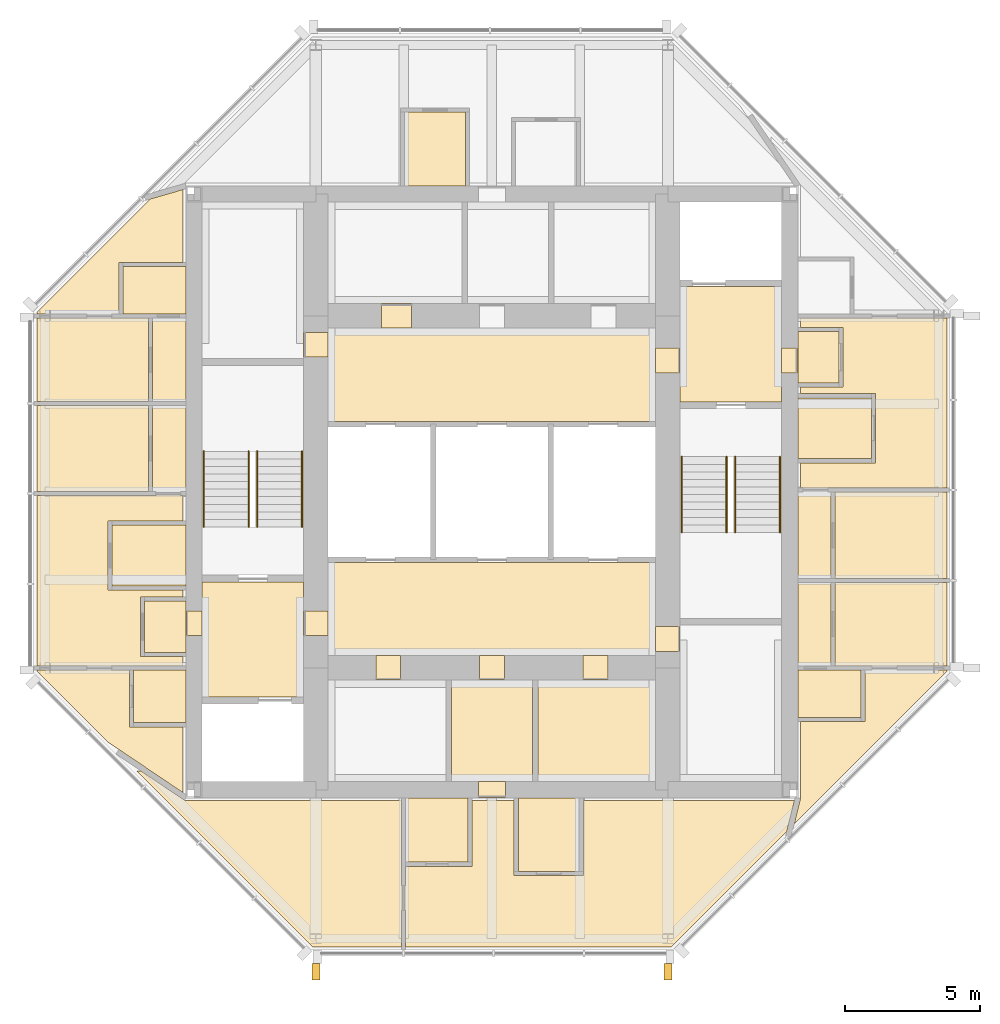
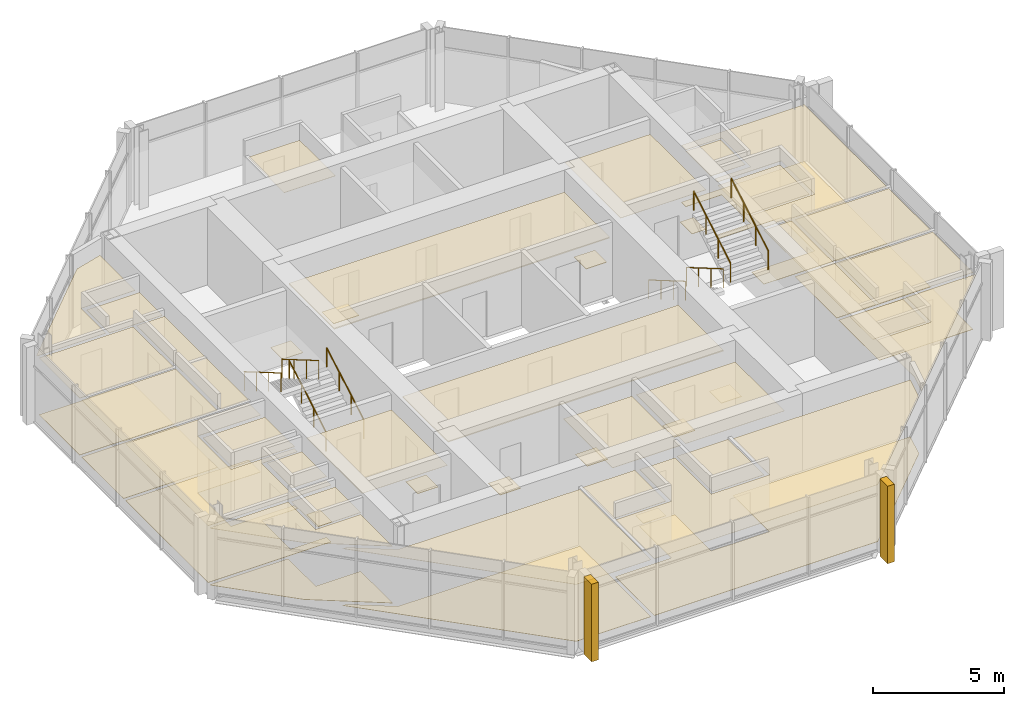
# One storey, part 8 of 9: 51 coverings, 8 railings.
"""IFC4 building model written with IfcOpenShell, lengths in metres."""

from ifc_helpers import new_model, si_unit, direction, frame, origin, origin_2d, place, context, subcontext, project, spatial, polyline, rectangle, circle, outline, extrude, material, layer, layer_set, type_object, element, save


model = new_model("IFC4")

# Units and contexts
model_context = context("Model", 3, precision=1e-05, world=origin(), true_north=direction((0.0, 1.0)))
body_context = subcontext(model_context, "Body", "Model", "MODEL_VIEW")
ifc_project = project(units=[si_unit("LENGTHUNIT", "METRE"), si_unit("AREAUNIT", "SQUARE_METRE"), si_unit("VOLUMEUNIT", "CUBIC_METRE"), si_unit("PLANEANGLEUNIT", "RADIAN"), si_unit("MASSUNIT", "GRAM", prefix="KILO")], contexts=[model_context])

# Site, building, storey
site_placement = place(None, origin())
site = spatial("IfcSite", under=ifc_project, at=site_placement, CompositionType="ELEMENT")
building_placement = place(site_placement, origin())
building = spatial("IfcBuilding", under=site, at=building_placement, Name="Trevanion Tower", CompositionType="ELEMENT")
storey_placement = place(building_placement, frame((0.0, 0.0, 292.0)))
storey = spatial("IfcBuildingStorey", under=building, at=storey_placement, Name="L72", CompositionType="ELEMENT", Elevation=292.0)

# Coverings
ifc_material_1 = material(Name="Fibrous plaster coffers on suspended steel grid", Category="steel")
ifc_layer_1 = layer(ifc_material_1, 0.050048828125)
ifc_layer_set_1 = layer_set([ifc_layer_1], Name="CL1 coffered fibrous plaster ceiling 50")
covering_type_1 = type_object("IfcCoveringType", Name="CL1 coffered fibrous plaster ceiling 50", PredefinedType="CEILING", material=ifc_layer_set_1)
covering_1_placement = place(storey_placement, frame((0.0, 0.0, 2.530029296875)))
element("IfcCovering", 1, at=covering_1_placement, inside=storey, type_object=covering_type_1, Name="CL1 L72-LBN", PredefinedType="CEILING", context=body_context, shape_type="SweptSolid", body=[
    extrude(outline(polyline([(6.050048828125, 2.60009765625), (6.050048828125, 6.050048828125), (-6.050048828125, 6.050048828125), (-6.050048828125, 2.60009765625), (6.050048828125, 2.60009765625)])), origin(), (0.0, 0.0, 1.0), 0.050048828125),
])
covering_2_placement = place(storey_placement, frame((0.0, 0.0, 2.530029296875)))
element("IfcCovering", 2, at=covering_2_placement, inside=storey, type_object=covering_type_1, Name="CL1 L72-LBS", PredefinedType="CEILING", context=body_context, shape_type="SweptSolid", body=[
    extrude(outline(polyline([(6.050048828125, -6.050048828125), (6.050048828125, -2.60009765625), (-6.050048828125, -2.60009765625), (-6.050048828125, -6.050048828125), (6.050048828125, -6.050048828125)])), origin(), (0.0, 0.0, 1.0), 0.050048828125),
])
ifc_material_2 = material(Name="Mineral fibre acoustic tiles in exposed grid", Category="mineral fibre")
ifc_layer_2 = layer(ifc_material_2, 0.02001953125)
ifc_layer_set_2 = layer_set([ifc_layer_2], Name="CL2 acoustic tile ceiling 20")
covering_type_2 = type_object("IfcCoveringType", Name="CL2 acoustic tile ceiling 20", PredefinedType="CEILING", material=ifc_layer_set_2)
covering_3_placement = place(storey_placement, frame((0.0, 0.0, 2.56005859375)))
element("IfcCovering", 3, at=covering_3_placement, inside=storey, type_object=covering_type_2, Name="CL2 L72-CSC", PredefinedType="CEILING", context=body_context, shape_type="SweptSolid", body=[
    extrude(outline(polyline([(1.5, -10.699951171875), (1.5, -6.949951171875), (-1.5, -6.949951171875), (-1.5, -10.699951171875), (1.5, -10.699951171875)])), origin(), (0.0, 0.0, 1.0), 0.02001953125),
])
ifc_material_3 = material(Name="Gypsum plasterboard on suspended metal furring", Category="gypsum")
ifc_layer_3 = layer(ifc_material_3, 0.012939453125)
ifc_layer_set_3 = layer_set([ifc_layer_3], Name="CL3 plasterboard ceiling 13")
covering_type_3 = type_object("IfcCoveringType", Name="CL3 plasterboard ceiling 13", PredefinedType="CEILING", material=ifc_layer_set_3)
covering_4_placement = place(storey_placement, frame((0.0, 0.0, 2.699951171875)))
element("IfcCovering", 4, at=covering_4_placement, inside=storey, type_object=covering_type_3, Name="CL3 L72-FV1", PredefinedType="CEILING", context=body_context, shape_type="SweptSolid", body=[
    extrude(outline(polyline([(10.699951171875, 3.324951171875), (10.699951171875, 7.574951171875), (6.949951171875, 7.574951171875), (6.949951171875, 3.324951171875), (10.699951171875, 3.324951171875)])), origin(), (0.0, 0.0, 1.0), 0.012939453125),
])
covering_5_placement = place(storey_placement, frame((0.0, 0.0, 2.699951171875)))
element("IfcCovering", 5, at=covering_5_placement, inside=storey, type_object=covering_type_3, Name="CL3 L72-FV2", PredefinedType="CEILING", context=body_context, shape_type="SweptSolid", body=[
    extrude(outline(polyline([(-10.699951171875, -3.324951171875), (-10.699951171875, -7.574951171875), (-6.949951171875, -7.574951171875), (-6.949951171875, -3.324951171875), (-10.699951171875, -3.324951171875)])), origin(), (0.0, 0.0, 1.0), 0.012939453125),
])
covering_6_placement = place(storey_placement, frame((0.0, 0.0, 2.56689453125)))
element("IfcCovering", 6, at=covering_6_placement, inside=storey, type_object=covering_type_3, Name="CL3 L72-RSS", PredefinedType="CEILING", context=body_context, shape_type="SweptSolid", body=[
    extrude(outline(polyline([(6.050048828125, -10.699951171875), (6.050048828125, -6.949951171875), (1.699951171875, -6.949951171875), (1.699951171875, -10.699951171875), (6.050048828125, -10.699951171875)])), origin(), (0.0, 0.0, 1.0), 0.01318359375),
])
covering_7_placement = place(storey_placement, frame((0.0, 0.0, 2.699951171875)))
element("IfcCovering", 7, at=covering_7_placement, inside=storey, type_object=covering_type_3, Name="CL3 L72-REE", PredefinedType="CEILING", context=body_context, shape_type="SweptSolid", body=[
    extrude(outline(polyline([(12.824951171875, 4.02490234375), (12.824951171875, 5.925048828125), (11.300048828125, 5.925048828125), (11.300048828125, 4.02490234375), (12.824951171875, 4.02490234375)])), origin(), (0.0, 0.0, 1.0), 0.012939453125),
])
covering_8_placement = place(storey_placement, frame((0.0, 0.0, 2.64599609375)))
element("IfcCovering", 8, at=covering_8_placement, inside=storey, type_object=covering_type_3, Name="CL3 L72-REH", PredefinedType="CEILING", context=body_context, shape_type="SweptSolid", body=[
    extrude(outline(polyline([(12.52490234375, -6.425048828125), (12.52490234375, -0.010009765625), (11.300048828125, -0.010009765625), (11.300048828125, -6.425048828125), (12.52490234375, -6.425048828125)])), origin(), (0.0, 0.0, 1.0), 0.012939453125),
])
covering_9_placement = place(storey_placement, frame((0.0, 0.0, 2.64111328125)))
element("IfcCovering", 9, at=covering_9_placement, inside=storey, type_object=covering_type_3, Name="CL3 L72-RED", PredefinedType="CEILING", context=body_context, shape_type="SweptSolid", body=[
    extrude(outline(polyline([(11.16552734375, -12.2587890625), (11.39990234375, -11.312255859375), (11.39990234375, -8.47509765625), (13.77490234375, -8.47509765625), (13.77490234375, -6.574951171875), (16.800048828125, -6.574951171875), (16.800048828125, -6.624267578125), (11.16552734375, -12.2587890625)])), origin(), (0.0, 0.0, 1.0), 0.012939453125),
])
covering_10_placement = place(storey_placement, frame((0.0, 0.0, 2.64111328125)))
element("IfcCovering", 10, at=covering_10_placement, inside=storey, type_object=covering_type_3, Name="CL3 L72-REB", PredefinedType="CEILING", context=body_context, shape_type="SweptSolid", body=[
    extrude(outline(polyline([(12.675048828125, -6.425048828125), (12.675048828125, -3.341064453125), (16.800048828125, -3.341064453125), (16.800048828125, -6.425048828125), (12.675048828125, -6.425048828125)])), origin(), (0.0, 0.0, 1.0), 0.012939453125),
])
covering_11_placement = place(storey_placement, frame((0.0, 0.0, 2.64599609375)))
element("IfcCovering", 11, at=covering_11_placement, inside=storey, type_object=covering_type_3, Name="CL3 L72-REB2", PredefinedType="CEILING", context=body_context, shape_type="SweptSolid", body=[
    extrude(outline(polyline([(12.675048828125, -3.19091796875), (12.675048828125, -0.010009765625), (16.800048828125, -0.010009765625), (16.800048828125, -3.19091796875), (12.675048828125, -3.19091796875)])), origin(), (0.0, 0.0, 1.0), 0.012939453125),
])
covering_12_placement = place(storey_placement, frame((0.0, 0.0, 2.64111328125)))
element("IfcCovering", 12, at=covering_12_placement, inside=storey, type_object=covering_type_3, Name="CL3 L72-REL", PredefinedType="CEILING", context=body_context, shape_type="SweptSolid", body=[
    extrude(outline(polyline([(11.39990234375, 0.139892578125), (11.39990234375, 1.074951171875), (14.175048828125, 1.074951171875), (14.175048828125, 3.625), (11.39990234375, 3.625), (11.39990234375, 3.875), (12.97509765625, 3.875), (12.97509765625, 6.074951171875), (11.39990234375, 6.074951171875), (11.39990234375, 6.425048828125), (16.800048828125, 6.425048828125), (16.800048828125, 0.139892578125), (11.39990234375, 0.139892578125)])), origin(), (0.0, 0.0, 1.0), 0.012939453125),
])
covering_13_placement = place(storey_placement, frame((0.0, 0.0, 2.699951171875)))
element("IfcCovering", 13, at=covering_13_placement, inside=storey, type_object=covering_type_3, Name="CL3 L72-RWE", PredefinedType="CEILING", context=body_context, shape_type="SweptSolid", body=[
    extrude(outline(polyline([(-12.824951171875, -4.02490234375), (-12.824951171875, -5.925048828125), (-11.300048828125, -5.925048828125), (-11.300048828125, -4.02490234375), (-12.824951171875, -4.02490234375)])), origin(), (0.0, 0.0, 1.0), 0.012939453125),
])
covering_14_placement = place(storey_placement, frame((0.0, 0.0, 2.64599609375)))
element("IfcCovering", 14, at=covering_14_placement, inside=storey, type_object=covering_type_3, Name="CL3 L72-RWH", PredefinedType="CEILING", context=body_context, shape_type="SweptSolid", body=[
    extrude(outline(polyline([(-12.52490234375, 6.425048828125), (-12.52490234375, 0.010009765625), (-11.300048828125, 0.010009765625), (-11.300048828125, 6.425048828125), (-12.52490234375, 6.425048828125)])), origin(), (0.0, 0.0, 1.0), 0.012939453125),
])
covering_15_placement = place(storey_placement, frame((0.0, 0.0, 2.64111328125)))
element("IfcCovering", 15, at=covering_15_placement, inside=storey, type_object=covering_type_3, Name="CL3 L72-RWD", PredefinedType="CEILING", context=body_context, shape_type="SweptSolid", body=[
    extrude(outline(polyline([(-12.606689453125, 10.817626953125), (-11.39990234375, 11.1669921875), (-11.39990234375, 8.47509765625), (-13.77490234375, 8.47509765625), (-13.77490234375, 6.574951171875), (-16.800048828125, 6.574951171875), (-16.800048828125, 6.624267578125), (-12.606689453125, 10.817626953125)])), origin(), (0.0, 0.0, 1.0), 0.012939453125),
])
covering_16_placement = place(storey_placement, frame((0.0, 0.0, 2.64111328125)))
element("IfcCovering", 16, at=covering_16_placement, inside=storey, type_object=covering_type_3, Name="CL3 L72-RWB", PredefinedType="CEILING", context=body_context, shape_type="SweptSolid", body=[
    extrude(outline(polyline([(-12.675048828125, 6.425048828125), (-12.675048828125, 3.341064453125), (-16.800048828125, 3.341064453125), (-16.800048828125, 6.425048828125), (-12.675048828125, 6.425048828125)])), origin(), (0.0, 0.0, 1.0), 0.012939453125),
])
covering_17_placement = place(storey_placement, frame((0.0, 0.0, 2.64599609375)))
element("IfcCovering", 17, at=covering_17_placement, inside=storey, type_object=covering_type_3, Name="CL3 L72-RWB2", PredefinedType="CEILING", context=body_context, shape_type="SweptSolid", body=[
    extrude(outline(polyline([(-12.675048828125, 3.19091796875), (-12.675048828125, 0.010009765625), (-16.800048828125, 0.010009765625), (-16.800048828125, 3.19091796875), (-12.675048828125, 3.19091796875)])), origin(), (0.0, 0.0, 1.0), 0.012939453125),
])
covering_18_placement = place(storey_placement, frame((0.0, 0.0, 2.64111328125)))
element("IfcCovering", 18, at=covering_18_placement, inside=storey, type_object=covering_type_3, Name="CL3 L72-RWL", PredefinedType="CEILING", context=body_context, shape_type="SweptSolid", body=[
    extrude(outline(polyline([(-11.39990234375, -0.139892578125), (-11.39990234375, -1.074951171875), (-14.175048828125, -1.074951171875), (-14.175048828125, -3.625), (-11.39990234375, -3.625), (-11.39990234375, -3.875), (-12.97509765625, -3.875), (-12.97509765625, -6.074951171875), (-11.39990234375, -6.074951171875), (-11.39990234375, -6.425048828125), (-16.800048828125, -6.425048828125), (-16.800048828125, -0.139892578125), (-11.39990234375, -0.139892578125)])), origin(), (0.0, 0.0, 1.0), 0.012939453125),
])
covering_19_placement = place(storey_placement, frame((0.0, 0.0, 2.64111328125)))
element("IfcCovering", 19, at=covering_19_placement, inside=storey, type_object=covering_type_3, Name="CL3 L72-RWB3", PredefinedType="CEILING", context=body_context, shape_type="SweptSolid", body=[
    extrude(outline(polyline([(-13.375, -6.574951171875), (-13.375, -8.675048828125), (-11.39990234375, -8.675048828125), (-11.39990234375, -11.112060546875), (-14.197021484375, -9.227294921875), (-16.800048828125, -6.624267578125), (-16.800048828125, -6.574951171875), (-13.375, -6.574951171875)])), origin(), (0.0, 0.0, 1.0), 0.012939453125),
])
covering_20_placement = place(storey_placement, frame((0.0, 0.0, 2.64111328125)))
element("IfcCovering", 20, at=covering_20_placement, inside=storey, type_object=covering_type_3, Name="CL3 L72-RSB", PredefinedType="CEILING", context=body_context, shape_type="SweptSolid", body=[
    extrude(outline(polyline([(-12.962890625, -10.300048828125), (-11.33056640625, -11.39990234375), (-3.341064453125, -11.39990234375), (-3.341064453125, -16.800048828125), (-6.624267578125, -16.800048828125), (-13.124267578125, -10.300048828125), (-12.962890625, -10.300048828125)])), origin(), (0.0, 0.0, 1.0), 0.012939453125),
])
covering_21_placement = place(storey_placement, frame((0.0, 0.0, 2.64111328125)))
element("IfcCovering", 21, at=covering_21_placement, inside=storey, type_object=covering_type_3, Name="CL3 L72-RSL", PredefinedType="CEILING", context=body_context, shape_type="SweptSolid", body=[
    extrude(outline(polyline([(10.8916015625, -12.53271484375), (6.624267578125, -16.800048828125), (-3.19091796875, -16.800048828125), (-3.19091796875, -13.824951171875), (-0.72509765625, -13.824951171875), (-0.72509765625, -11.39990234375), (0.824951171875, -11.39990234375), (0.824951171875, -14.175048828125), (3.375, -14.175048828125), (3.375, -11.39990234375), (11.172119140625, -11.39990234375), (10.8916015625, -12.53271484375)])), origin(), (0.0, 0.0, 1.0), 0.012939453125),
])
ifc_material_4 = material(Name="Moisture-resistant gypsum board on suspended metal furring", Category="gypsum")
ifc_layer_4 = layer(ifc_material_4, 0.01611328125)
ifc_layer_set_4 = layer_set([ifc_layer_4], Name="CL4 moisture-resistant board ceiling 16")
covering_type_4 = type_object("IfcCoveringType", Name="CL4 moisture-resistant board ceiling 16", PredefinedType="CEILING", material=ifc_layer_set_4)
covering_22_placement = place(storey_placement, frame((0.0, 0.0, 2.60009765625)))
element("IfcCovering", 22, at=covering_22_placement, inside=storey, type_object=covering_type_4, Name="CL4 L72-REK", PredefinedType="CEILING", context=body_context, shape_type="SweptSolid", body=[
    extrude(outline(polyline([(14.02490234375, 1.22509765625), (14.02490234375, 3.47509765625), (11.300048828125, 3.47509765625), (11.300048828125, 1.22509765625), (14.02490234375, 1.22509765625)])), origin(), (0.0, 0.0, 1.0), 0.015869140625),
])
covering_23_placement = place(storey_placement, frame((0.0, 0.0, 2.60009765625)))
element("IfcCovering", 23, at=covering_23_placement, inside=storey, type_object=covering_type_4, Name="CL4 L72-RET", PredefinedType="CEILING", context=body_context, shape_type="SweptSolid", body=[
    extrude(outline(polyline([(13.625, -8.324951171875), (13.625, -6.574951171875), (11.300048828125, -6.574951171875), (11.300048828125, -8.324951171875), (13.625, -8.324951171875)])), origin(), (0.0, 0.0, 1.0), 0.015869140625),
])
covering_24_placement = place(storey_placement, frame((0.0, 0.0, 2.60009765625)))
element("IfcCovering", 24, at=covering_24_placement, inside=storey, type_object=covering_type_4, Name="CL4 L72-RNK", PredefinedType="CEILING", context=body_context, shape_type="SweptSolid", body=[
    extrude(outline(polyline([(-0.97509765625, 14.02490234375), (-3.22509765625, 14.02490234375), (-3.22509765625, 11.300048828125), (-0.97509765625, 11.300048828125), (-0.97509765625, 14.02490234375)])), origin(), (0.0, 0.0, 1.0), 0.015869140625),
])
covering_25_placement = place(storey_placement, frame((0.0, 0.0, 2.60009765625)))
element("IfcCovering", 25, at=covering_25_placement, inside=storey, type_object=covering_type_4, Name="CL4 L72-RWK", PredefinedType="CEILING", context=body_context, shape_type="SweptSolid", body=[
    extrude(outline(polyline([(-14.02490234375, -1.22509765625), (-14.02490234375, -3.47509765625), (-11.300048828125, -3.47509765625), (-11.300048828125, -1.22509765625), (-14.02490234375, -1.22509765625)])), origin(), (0.0, 0.0, 1.0), 0.015869140625),
])
covering_26_placement = place(storey_placement, frame((0.0, 0.0, 2.60009765625)))
element("IfcCovering", 26, at=covering_26_placement, inside=storey, type_object=covering_type_4, Name="CL4 L72-RWW", PredefinedType="CEILING", context=body_context, shape_type="SweptSolid", body=[
    extrude(outline(polyline([(-13.22509765625, -6.574951171875), (-13.22509765625, -8.52490234375), (-11.300048828125, -8.52490234375), (-11.300048828125, -6.574951171875), (-13.22509765625, -6.574951171875)])), origin(), (0.0, 0.0, 1.0), 0.015869140625),
])
covering_27_placement = place(storey_placement, frame((0.0, 0.0, 2.60009765625)))
element("IfcCovering", 27, at=covering_27_placement, inside=storey, type_object=covering_type_4, Name="CL4 L72-RWT", PredefinedType="CEILING", context=body_context, shape_type="SweptSolid", body=[
    extrude(outline(polyline([(-13.625, 8.324951171875), (-13.625, 6.574951171875), (-11.300048828125, 6.574951171875), (-11.300048828125, 8.324951171875), (-13.625, 8.324951171875)])), origin(), (0.0, 0.0, 1.0), 0.015869140625),
])
covering_28_placement = place(storey_placement, frame((0.0, 0.0, 2.60009765625)))
element("IfcCovering", 28, at=covering_28_placement, inside=storey, type_object=covering_type_4, Name="CL4 L72-RSK", PredefinedType="CEILING", context=body_context, shape_type="SweptSolid", body=[
    extrude(outline(polyline([(0.97509765625, -14.02490234375), (3.22509765625, -14.02490234375), (3.22509765625, -11.300048828125), (0.97509765625, -11.300048828125), (0.97509765625, -14.02490234375)])), origin(), (0.0, 0.0, 1.0), 0.015869140625),
])
covering_29_placement = place(storey_placement, frame((0.0, 0.0, 2.60009765625)))
element("IfcCovering", 29, at=covering_29_placement, inside=storey, type_object=covering_type_4, Name="CL4 L72-RST", PredefinedType="CEILING", context=body_context, shape_type="SweptSolid", body=[
    extrude(outline(polyline([(-3.19091796875, -13.675048828125), (-0.875, -13.675048828125), (-0.875, -11.300048828125), (-3.19091796875, -11.300048828125), (-3.19091796875, -13.675048828125)])), origin(), (0.0, 0.0, 1.0), 0.015869140625),
])
ifc_material_5 = material(Name="Cast bronze fin on aluminium carrier", Category="aluminium")
covering_type_5 = type_object("IfcCoveringType", Name="F1 bronze fin", PredefinedType="CLADDING", material=ifc_material_5)
for number, where, z_axis, x_axis, name in (
    (30, (-6.5, -17.72509765625, -0.18994140625), (0.0, 0.0, 1.0), (1.0, 0.0, 0.0), "F1 L72 south -6.5"),
    (31, (6.5, -17.72509765625, -0.18994140625), (0.0, 0.0, 1.0), (1.0, 0.0, 0.0), "F1 L72 south +6.5"),
):
    element("IfcCovering", number, at=place(storey_placement, frame(where, z_axis=z_axis, x_axis=x_axis)), inside=storey, type_object=covering_type_5, Name=name, PredefinedType="CLADDING", context=body_context, shape_type="SweptSolid", body=[
        extrude(rectangle(XDim=0.300048828125, YDim=0.60009765625, at=origin_2d()), origin(), (0.0, 0.0, 1.0), 3.60009765625),
    ])
ifc_material_6 = material(Name="Terrazzo, brass divider strips", Category="stone")
ifc_layer_5 = layer(ifc_material_6, 0.02001953125)
ifc_layer_set_5 = layer_set([ifc_layer_5], Name="FF1 terrazzo flooring")
covering_type_6 = type_object("IfcCoveringType", Name="FF1 terrazzo flooring", PredefinedType="FLOORING", material=ifc_layer_set_5)
covering_30_placement = place(storey_placement, origin())
element("IfcCovering", 32, at=covering_30_placement, inside=storey, type_object=covering_type_6, Name="FF1 threshold 72-001", PredefinedType="FLOORING", context=body_context, shape_type="SweptSolid", body=[
    extrude(outline(polyline([(11.300048828125, 4.392578125), (11.300048828125, 5.3076171875), (10.699951171875, 5.3076171875), (10.699951171875, 4.392578125), (11.300048828125, 4.392578125)])), origin(), (0.0, 0.0, 1.0), 0.02001953125),
])
covering_31_placement = place(storey_placement, origin())
element("IfcCovering", 33, at=covering_31_placement, inside=storey, type_object=covering_type_6, Name="FF1 threshold 72-002", PredefinedType="FLOORING", context=body_context, shape_type="SweptSolid", body=[
    extrude(outline(polyline([(-11.300048828125, -4.392578125), (-11.300048828125, -5.3076171875), (-10.699951171875, -5.3076171875), (-10.699951171875, -4.392578125), (-11.300048828125, -4.392578125)])), origin(), (0.0, 0.0, 1.0), 0.02001953125),
])
covering_32_placement = place(storey_placement, origin())
element("IfcCovering", 34, at=covering_32_placement, inside=storey, type_object=covering_type_6, Name="FF1 threshold 72-003", PredefinedType="FLOORING", context=body_context, shape_type="SweptSolid", body=[
    extrude(outline(polyline([(6.949951171875, 4.392578125), (6.949951171875, 5.3076171875), (6.050048828125, 5.3076171875), (6.050048828125, 4.392578125), (6.949951171875, 4.392578125)])), origin(), (0.0, 0.0, 1.0), 0.02001953125),
])
covering_33_placement = place(storey_placement, origin())
element("IfcCovering", 35, at=covering_33_placement, inside=storey, type_object=covering_type_6, Name="FF1 threshold 72-004", PredefinedType="FLOORING", context=body_context, shape_type="SweptSolid", body=[
    extrude(outline(polyline([(-6.949951171875, -4.392578125), (-6.949951171875, -5.3076171875), (-6.050048828125, -5.3076171875), (-6.050048828125, -4.392578125), (-6.949951171875, -4.392578125)])), origin(), (0.0, 0.0, 1.0), 0.02001953125),
])
covering_34_placement = place(storey_placement, origin())
element("IfcCovering", 36, at=covering_34_placement, inside=storey, type_object=covering_type_6, Name="FF1 threshold 72-009", PredefinedType="FLOORING", context=body_context, shape_type="SweptSolid", body=[
    extrude(outline(polyline([(6.949951171875, -5.889892578125), (6.949951171875, -4.97509765625), (6.050048828125, -4.97509765625), (6.050048828125, -5.889892578125), (6.949951171875, -5.889892578125)])), origin(), (0.0, 0.0, 1.0), 0.02001953125),
])
covering_35_placement = place(storey_placement, origin())
element("IfcCovering", 37, at=covering_35_placement, inside=storey, type_object=covering_type_6, Name="FF1 threshold 72-010", PredefinedType="FLOORING", context=body_context, shape_type="SweptSolid", body=[
    extrude(outline(polyline([(-6.949951171875, 5.889892578125), (-6.949951171875, 4.97509765625), (-6.050048828125, 4.97509765625), (-6.050048828125, 5.889892578125), (-6.949951171875, 5.889892578125)])), origin(), (0.0, 0.0, 1.0), 0.02001953125),
])
covering_36_placement = place(storey_placement, origin())
element("IfcCovering", 38, at=covering_36_placement, inside=storey, type_object=covering_type_6, Name="FF1 threshold 72-019", PredefinedType="FLOORING", context=body_context, shape_type="SweptSolid", body=[
    extrude(outline(polyline([(-2.966064453125, 6.949951171875), (-4.083984375, 6.949951171875), (-4.083984375, 6.050048828125), (-2.966064453125, 6.050048828125), (-2.966064453125, 6.949951171875)])), origin(), (0.0, 0.0, 1.0), 0.02001953125),
])
covering_37_placement = place(storey_placement, origin())
element("IfcCovering", 39, at=covering_37_placement, inside=storey, type_object=covering_type_6, Name="FF1 threshold 72-021", PredefinedType="FLOORING", context=body_context, shape_type="SweptSolid", body=[
    extrude(outline(polyline([(-0.45751953125, -6.949951171875), (0.45751953125, -6.949951171875), (0.45751953125, -6.050048828125), (-0.45751953125, -6.050048828125), (-0.45751953125, -6.949951171875)])), origin(), (0.0, 0.0, 1.0), 0.02001953125),
])
covering_38_placement = place(storey_placement, origin())
element("IfcCovering", 40, at=covering_38_placement, inside=storey, type_object=covering_type_6, Name="FF1 threshold 72-022", PredefinedType="FLOORING", context=body_context, shape_type="SweptSolid", body=[
    extrude(outline(polyline([(-0.5, -11.300048828125), (0.5, -11.300048828125), (0.5, -10.699951171875), (-0.5, -10.699951171875), (-0.5, -11.300048828125)])), origin(), (0.0, 0.0, 1.0), 0.02001953125),
])
covering_39_placement = place(storey_placement, origin())
element("IfcCovering", 41, at=covering_39_placement, inside=storey, type_object=covering_type_6, Name="FF1 threshold 72-023", PredefinedType="FLOORING", context=body_context, shape_type="SweptSolid", body=[
    extrude(outline(polyline([(-4.282470703125, -6.949951171875), (-3.367431640625, -6.949951171875), (-3.367431640625, -6.050048828125), (-4.282470703125, -6.050048828125), (-4.282470703125, -6.949951171875)])), origin(), (0.0, 0.0, 1.0), 0.02001953125),
])
covering_40_placement = place(storey_placement, origin())
element("IfcCovering", 42, at=covering_40_placement, inside=storey, type_object=covering_type_6, Name="FF1 threshold 72-024", PredefinedType="FLOORING", context=body_context, shape_type="SweptSolid", body=[
    extrude(outline(polyline([(3.367431640625, -6.949951171875), (4.282470703125, -6.949951171875), (4.282470703125, -6.050048828125), (3.367431640625, -6.050048828125), (3.367431640625, -6.949951171875)])), origin(), (0.0, 0.0, 1.0), 0.02001953125),
])
ifc_material_7 = material(Name="Engineered oak", Category="wood")
ifc_layer_6 = layer(ifc_material_7, 0.014892578125)
ifc_layer_set_6 = layer_set([ifc_layer_6], Name="FF3 timber flooring")
covering_type_7 = type_object("IfcCoveringType", Name="FF3 timber flooring", PredefinedType="FLOORING", material=ifc_layer_set_6)
covering_41_placement = place(storey_placement, origin())
element("IfcCovering", 43, at=covering_41_placement, inside=storey, type_object=covering_type_7, Name="FF3 L72-REB", PredefinedType="FLOORING", context=body_context, shape_type="SweptSolid", body=[
    extrude(outline(polyline([(12.675048828125, -6.425048828125), (12.675048828125, -3.341064453125), (16.800048828125, -3.341064453125), (16.800048828125, -6.425048828125), (12.675048828125, -6.425048828125)])), origin(), (0.0, 0.0, 1.0), 0.014892578125),
])
covering_42_placement = place(storey_placement, origin())
element("IfcCovering", 44, at=covering_42_placement, inside=storey, type_object=covering_type_7, Name="FF3 L72-REB2", PredefinedType="FLOORING", context=body_context, shape_type="SweptSolid", body=[
    extrude(outline(polyline([(12.675048828125, -3.19091796875), (12.675048828125, -0.010009765625), (16.800048828125, -0.010009765625), (16.800048828125, -3.19091796875), (12.675048828125, -3.19091796875)])), origin(), (0.0, 0.0, 1.0), 0.014892578125),
])
covering_43_placement = place(storey_placement, origin())
element("IfcCovering", 45, at=covering_43_placement, inside=storey, type_object=covering_type_7, Name="FF3 L72-REL", PredefinedType="FLOORING", context=body_context, shape_type="SweptSolid", body=[
    extrude(outline(polyline([(11.39990234375, 0.139892578125), (11.39990234375, 1.074951171875), (14.175048828125, 1.074951171875), (14.175048828125, 3.625), (11.39990234375, 3.625), (11.39990234375, 3.875), (12.97509765625, 3.875), (12.97509765625, 6.074951171875), (11.39990234375, 6.074951171875), (11.39990234375, 6.425048828125), (16.800048828125, 6.425048828125), (16.800048828125, 0.139892578125), (11.39990234375, 0.139892578125)])), origin(), (0.0, 0.0, 1.0), 0.014892578125),
])
covering_44_placement = place(storey_placement, origin())
element("IfcCovering", 46, at=covering_44_placement, inside=storey, type_object=covering_type_7, Name="FF3 L72-RWB", PredefinedType="FLOORING", context=body_context, shape_type="SweptSolid", body=[
    extrude(outline(polyline([(-12.675048828125, 6.425048828125), (-12.675048828125, 3.341064453125), (-16.800048828125, 3.341064453125), (-16.800048828125, 6.425048828125), (-12.675048828125, 6.425048828125)])), origin(), (0.0, 0.0, 1.0), 0.014892578125),
])
covering_45_placement = place(storey_placement, origin())
element("IfcCovering", 47, at=covering_45_placement, inside=storey, type_object=covering_type_7, Name="FF3 L72-RWB2", PredefinedType="FLOORING", context=body_context, shape_type="SweptSolid", body=[
    extrude(outline(polyline([(-12.675048828125, 3.19091796875), (-12.675048828125, 0.010009765625), (-16.800048828125, 0.010009765625), (-16.800048828125, 3.19091796875), (-12.675048828125, 3.19091796875)])), origin(), (0.0, 0.0, 1.0), 0.014892578125),
])
covering_46_placement = place(storey_placement, origin())
element("IfcCovering", 48, at=covering_46_placement, inside=storey, type_object=covering_type_7, Name="FF3 L72-RWL", PredefinedType="FLOORING", context=body_context, shape_type="SweptSolid", body=[
    extrude(outline(polyline([(-11.39990234375, -0.139892578125), (-11.39990234375, -1.074951171875), (-14.175048828125, -1.074951171875), (-14.175048828125, -3.625), (-11.39990234375, -3.625), (-11.39990234375, -3.875), (-12.97509765625, -3.875), (-12.97509765625, -6.074951171875), (-11.39990234375, -6.074951171875), (-11.39990234375, -6.425048828125), (-16.800048828125, -6.425048828125), (-16.800048828125, -0.139892578125), (-11.39990234375, -0.139892578125)])), origin(), (0.0, 0.0, 1.0), 0.014892578125),
])
covering_47_placement = place(storey_placement, origin())
element("IfcCovering", 49, at=covering_47_placement, inside=storey, type_object=covering_type_7, Name="FF3 L72-RWB3", PredefinedType="FLOORING", context=body_context, shape_type="SweptSolid", body=[
    extrude(outline(polyline([(-13.375, -6.574951171875), (-13.375, -8.675048828125), (-11.39990234375, -8.675048828125), (-11.39990234375, -11.112060546875), (-14.197021484375, -9.227294921875), (-16.800048828125, -6.624267578125), (-16.800048828125, -6.574951171875), (-13.375, -6.574951171875)])), origin(), (0.0, 0.0, 1.0), 0.014892578125),
])
covering_48_placement = place(storey_placement, origin())
element("IfcCovering", 50, at=covering_48_placement, inside=storey, type_object=covering_type_7, Name="FF3 L72-RSB", PredefinedType="FLOORING", context=body_context, shape_type="SweptSolid", body=[
    extrude(outline(polyline([(-12.962890625, -10.300048828125), (-11.33056640625, -11.39990234375), (-3.341064453125, -11.39990234375), (-3.341064453125, -16.800048828125), (-6.624267578125, -16.800048828125), (-13.124267578125, -10.300048828125), (-12.962890625, -10.300048828125)])), origin(), (0.0, 0.0, 1.0), 0.014892578125),
])
covering_49_placement = place(storey_placement, origin())
element("IfcCovering", 51, at=covering_49_placement, inside=storey, type_object=covering_type_7, Name="FF3 L72-RSL", PredefinedType="FLOORING", context=body_context, shape_type="SweptSolid", body=[
    extrude(outline(polyline([(10.8916015625, -12.53271484375), (6.624267578125, -16.800048828125), (-3.19091796875, -16.800048828125), (-3.19091796875, -13.824951171875), (-0.72509765625, -13.824951171875), (-0.72509765625, -11.39990234375), (0.824951171875, -11.39990234375), (0.824951171875, -14.175048828125), (3.375, -14.175048828125), (3.375, -11.39990234375), (11.172119140625, -11.39990234375), (10.8916015625, -12.53271484375)])), origin(), (0.0, 0.0, 1.0), 0.014892578125),
])

# Railings
ifc_material_8 = material(Name="Stainless steel tube 40 mm", Category="steel")
railing_type = type_object("IfcRailingType", Name="HR1 handrail", PredefinedType="HANDRAIL", material=ifc_material_8)
for number, where, name in (
    (52, (7.010009765625, 1.300048828125, 0.16357421875), "HR1 ST1 L72 flight 1"),
    (53, (8.6650390625, 1.300048828125, 0.16357421875), "HR1 ST1 L72 flight 1"),
):
    element("IfcRailing", number, at=place(storey_placement, frame(where)), inside=storey, type_object=railing_type, Name=name, PredefinedType="HANDRAIL", context=body_context, shape_type="SweptSolid", body=[
        extrude(circle(Radius=0.02001953125, at=origin_2d()), frame((0.0, 0.0, 0.8798828125), z_axis=(0.0, -0.863360870873, 0.504586966384), x_axis=(1.0, 0.0, 0.0)), (0.0, 0.0, 1.0), 3.2431640625),
        extrude(circle(Radius=0.01513671875, at=origin_2d()), origin(), (0.0, 0.0, 1.0), 0.85986328125),
        extrude(circle(Radius=0.01513671875, at=origin_2d()), frame((0.0, -0.933349609375, 0.54541015625)), (0.0, 0.0, 1.0), 0.85986328125),
        extrude(circle(Radius=0.01513671875, at=origin_2d()), frame((0.0, -1.86669921875, 1.091064453125)), (0.0, 0.0, 1.0), 0.85986328125),
        extrude(circle(Radius=0.01513671875, at=origin_2d()), frame((0.0, -2.800048828125, 1.636474609375)), (0.0, 0.0, 1.0), 0.85986328125),
    ])
for number, where, name in (
    (54, (8.985107421875, -1.5, 1.963623046875), "HR1 ST1 L72 flight 2"),
    (55, (10.639892578125, -1.5, 1.963623046875), "HR1 ST1 L72 flight 2"),
    (56, (-7.010009765625, -1.300048828125, 0.16357421875), "HR1 ST2 L72 flight 1"),
    (57, (-8.6650390625, -1.300048828125, 0.16357421875), "HR1 ST2 L72 flight 1"),
):
    element("IfcRailing", number, at=place(storey_placement, frame(where)), inside=storey, type_object=railing_type, Name=name, PredefinedType="HANDRAIL", context=body_context, shape_type="SweptSolid", body=[
        extrude(circle(Radius=0.02001953125, at=origin_2d()), frame((0.0, 0.0, 0.8798828125), z_axis=(0.0, 0.863360870873, 0.504586966384), x_axis=(-1.0, 0.0, 0.0)), (0.0, 0.0, 1.0), 3.2431640625),
        extrude(circle(Radius=0.01513671875, at=origin_2d()), origin(), (0.0, 0.0, 1.0), 0.85986328125),
        extrude(circle(Radius=0.01513671875, at=origin_2d()), frame((0.0, 0.933349609375, 0.54541015625)), (0.0, 0.0, 1.0), 0.85986328125),
        extrude(circle(Radius=0.01513671875, at=origin_2d()), frame((0.0, 1.86669921875, 1.091064453125)), (0.0, 0.0, 1.0), 0.85986328125),
        extrude(circle(Radius=0.01513671875, at=origin_2d()), frame((0.0, 2.800048828125, 1.636474609375)), (0.0, 0.0, 1.0), 0.85986328125),
    ])
for number, where, name in (
    (58, (-8.985107421875, 1.5, 1.963623046875), "HR1 ST2 L72 flight 2"),
    (59, (-10.639892578125, 1.5, 1.963623046875), "HR1 ST2 L72 flight 2"),
):
    element("IfcRailing", number, at=place(storey_placement, frame(where)), inside=storey, type_object=railing_type, Name=name, PredefinedType="HANDRAIL", context=body_context, shape_type="SweptSolid", body=[
        extrude(circle(Radius=0.02001953125, at=origin_2d()), frame((0.0, 0.0, 0.8798828125), z_axis=(0.0, -0.863360870873, 0.504586966384), x_axis=(1.0, 0.0, 0.0)), (0.0, 0.0, 1.0), 3.2431640625),
        extrude(circle(Radius=0.01513671875, at=origin_2d()), origin(), (0.0, 0.0, 1.0), 0.85986328125),
        extrude(circle(Radius=0.01513671875, at=origin_2d()), frame((0.0, -0.933349609375, 0.54541015625)), (0.0, 0.0, 1.0), 0.85986328125),
        extrude(circle(Radius=0.01513671875, at=origin_2d()), frame((0.0, -1.86669921875, 1.091064453125)), (0.0, 0.0, 1.0), 0.85986328125),
        extrude(circle(Radius=0.01513671875, at=origin_2d()), frame((0.0, -2.800048828125, 1.636474609375)), (0.0, 0.0, 1.0), 0.85986328125),
    ])

save(model, "model.ifc")
